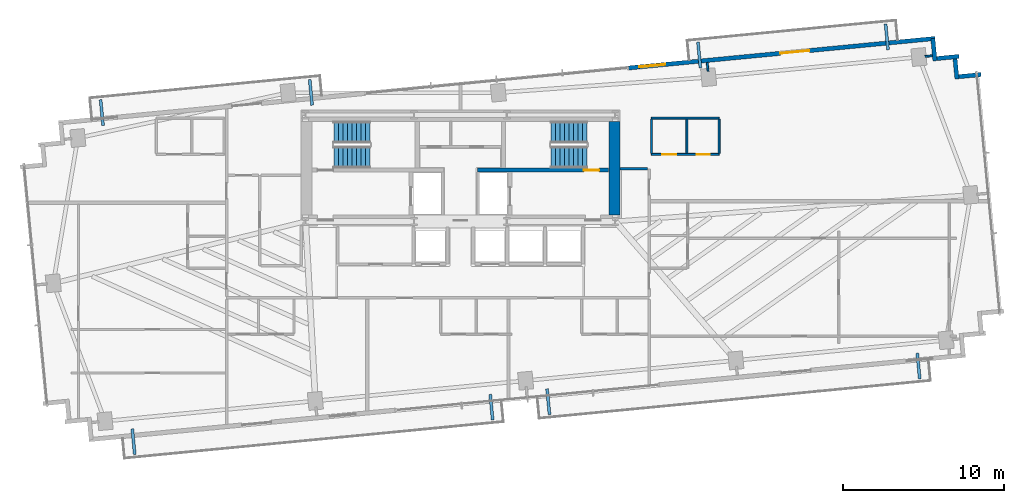
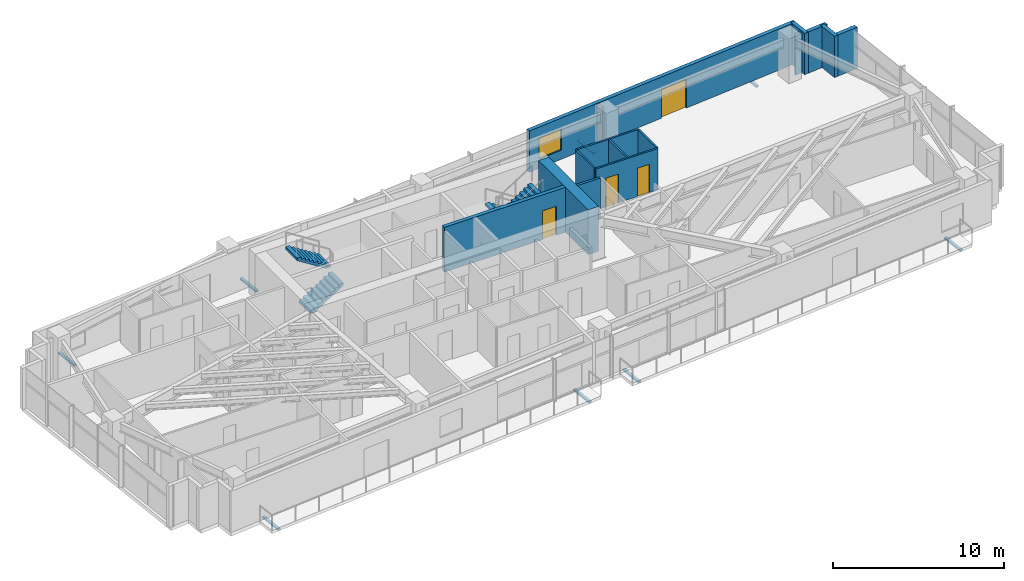
# One storey, part 24 of 27: 15 walls, 8 discrete accessories, 4 doors, 4 stair flights, 1 window, 5 openings, 2 elements without a shape of their own.
"""IFC4 building model written with IfcOpenShell, lengths in metres."""

from ifc_helpers import new_model, si_unit, direction, frame, frame_2d, origin, origin_2d, place, context, subcontext, project, spatial, polyline, rectangle, outline, extrude, source, transform, mapped, material, layer, layer_set, type_object, type_shapes, element, fill, aggregate, save


model = new_model("IFC4")

# Units and contexts
model_context = context("Model", 3, precision=1e-05, world=origin(), true_north=direction((0.0, 1.0)))
body_context = subcontext(model_context, "Body", "Model", "MODEL_VIEW")
ifc_project = project(units=[si_unit("LENGTHUNIT", "METRE"), si_unit("AREAUNIT", "SQUARE_METRE"), si_unit("VOLUMEUNIT", "CUBIC_METRE"), si_unit("PLANEANGLEUNIT", "RADIAN"), si_unit("MASSUNIT", "GRAM", prefix="KILO")], contexts=[model_context])

# Site, building, storey
site_placement = place(None, origin())
site = spatial("IfcSite", under=ifc_project, at=site_placement, CompositionType="ELEMENT")
building_placement = place(site_placement, origin())
building = spatial("IfcBuilding", under=site, at=building_placement, Name="Astriad Promenade Condominiums", CompositionType="ELEMENT")
storey_placement = place(building_placement, frame((0.0, 0.0, 113.0)))
storey = spatial("IfcBuildingStorey", under=building, at=storey_placement, Name="L32", CompositionType="ELEMENT", Elevation=113.0)

# Wall
ifc_material_1 = material(Name="Concrete C60/75", Category="concrete")
ifc_layer_1 = layer(ifc_material_1, 0.699951171875)
ifc_layer_set_1 = layer_set([ifc_layer_1], Name="Concrete C60/75")
wall_type_1 = type_object("IfcWallType", Name="CW-SHEAR-700", PredefinedType="SHEAR", material=ifc_layer_set_1)
wall_1_placement = place(storey_placement, frame((45.550048828125, 17.802001953125, 0.0), z_axis=(0.0, 0.0, 1.0), x_axis=(0.0, 1.0, 0.0)))
element("IfcWall", 1, at=wall_1_placement, inside=storey, type_object=wall_type_1, Name="CW-CORE-E-L32", PredefinedType="SHEAR", context=body_context, shape_type="SweptSolid", body=[
    extrude(rectangle(XDim=5.7958984375, YDim=0.699951171875, at=frame_2d((2.89794921875, 0.0))), origin(), (0.0, 0.0, 1.0), 3.199951171875),
])

# Wall, opening, door
ifc_material_2 = material(Name="Concrete C50/60", Category="concrete")
ifc_layer_2 = layer(ifc_material_2, 0.25)
ifc_layer_set_2 = layer_set([ifc_layer_2], Name="Concrete C50/60")
wall_type_2 = type_object("IfcWallType", Name="WALL-CORE-INT-250", PredefinedType="SOLIDWALL", material=ifc_layer_set_2)
wall_2_placement = place(storey_placement, frame((37.050048828125, 20.574951171875, 0.0), z_axis=(0.0, 0.0, 1.0), x_axis=(1.0, 0.0, 0.0)))
wall_2 = element("IfcWall", 2, at=wall_2_placement, inside=storey, type_object=wall_type_2, Name="CW-INT-H2-L32", PredefinedType="SOLIDWALL", context=body_context, shape_type="SweptSolid", body=[
    extrude(rectangle(XDim=8.14794921875, YDim=0.25, at=frame_2d((4.073974609375, 0.0))), origin(), (0.0, 0.0, 1.0), 3.199951171875),
])
opening_1_placement = place(wall_2_placement, frame((6.60009765625, 0.0, 0.0)))
opening_1 = element("IfcOpeningElement", 3, at=opening_1_placement, cuts=wall_2, Name="Opening FD90-ST-095", PredefinedType="OPENING", context=body_context, shape_type="SweptSolid", body=[
    extrude(rectangle(XDim=0.949951171875, YDim=2.06005859375, at=frame_2d((0.47509765625, 1.030029296875))), frame((0.0, 0.135009765625, 0.0), z_axis=(0.0, -1.0, 0.0), x_axis=(1.0, 0.0, 0.0)), (0.0, 0.0, 1.0), 0.27001953125),
])
ifc_material_3 = material(Name="Fire-Rated Hollow Metal Stair Door")
door_type_1 = type_object("IfcDoorType", Name="FD90-ST-095", OperationType="NOTDEFINED", PredefinedType="DOOR", material=ifc_material_3)
shared_shape_1 = source(origin(), body_context, "Body", "SweptSolid", [
    extrude(rectangle(XDim=0.949951171875, YDim=2.06005859375, at=frame_2d((0.47509765625, 1.030029296875))), frame((0.0, 0.02490234375, 0.0), z_axis=(0.0, -1.0, 0.0), x_axis=(1.0, 0.0, 0.0)), (0.0, 0.0, 1.0), 0.050048828125),
])
type_shapes(door_type_1, [shared_shape_1])
door_1_placement = place(opening_1_placement, origin())
door_1 = element("IfcDoor", 4, at=door_1_placement, inside=storey, type_object=door_type_1, Name="D-ST2-L32", OperationType="SINGLE_SWING_LEFT", OverallHeight=2.06005859375, OverallWidth=0.949951171875, PredefinedType="DOOR", context=body_context, shape_type="MappedRepresentation", body=[
    mapped(shared_shape_1, transform((0.0, 0.0, 0.0), scale=1.0)),
])
fill(opening_1, door_1)

# Wall
ifc_material_4 = material(Name="Fire-Rated Gypsum Partition")
ifc_layer_3 = layer(ifc_material_4, 0.159912109375)
ifc_layer_set_3 = layer_set([ifc_layer_3], Name="Fire-Rated Gypsum Partition")
wall_type_3 = type_object("IfcWallType", Name="WALL-CORR-160", PredefinedType="PARTITIONING", material=ifc_layer_set_3)
wall_3_placement = place(storey_placement, frame((45.902099609375, 20.64990234375, 0.0), z_axis=(0.0, 0.0, 1.0), x_axis=(1.0, 0.0, 0.0)))
element("IfcWall", 5, at=wall_3_placement, inside=storey, type_object=wall_type_3, Name="PT-Z3E-N-L32", PredefinedType="PARTITIONING", context=body_context, shape_type="SweptSolid", body=[
    extrude(rectangle(XDim=1.7158203125, YDim=0.159912109375, at=frame_2d((0.85791015625, 0.0))), origin(), (0.0, 0.0, 1.0), 2.93994140625),
])

# Wall, openings, door, window
ifc_material_5 = material(Name="Precast concrete C50/60", Category="concrete")
ifc_layer_4 = layer(ifc_material_5, 0.260009765625)
ifc_layer_set_4 = layer_set([ifc_layer_4], Name="Precast concrete C50/60")
wall_type_4 = type_object("IfcWallType", Name="WALL-EXT-TWR-260", PredefinedType="STANDARD", material=ifc_layer_set_4)
wall_4_placement = place(storey_placement, frame((46.40625, 26.90966796875, 0.0), z_axis=(0.0, 0.0, 1.0), x_axis=(0.995396638587, 0.095841180552, 0.0)))
wall_4 = element("IfcWall", 6, at=wall_4_placement, inside=storey, type_object=wall_type_4, Name="W-EXT-L32-N2", PredefinedType="STANDARD", context=body_context, shape_type="SweptSolid", body=[
    extrude(rectangle(XDim=19.110107421875, YDim=0.260009765625, at=frame_2d((9.55517578125, 0.0))), origin(), (0.0, 0.0, 1.0), 2.93994140625),
])
opening_2_placement = place(wall_4_placement, frame((9.469970703125, 0.0, 0.0)))
opening_2 = element("IfcOpeningElement", 7, at=opening_2_placement, cuts=wall_4, Name="Opening BD-1822-SLD", PredefinedType="OPENING", context=body_context, shape_type="SweptSolid", body=[
    extrude(rectangle(XDim=1.800048828125, YDim=2.06005859375, at=frame_2d((0.89990234375, 1.030029296875))), frame((0.0, 0.139892578125, 0.0), z_axis=(0.0, -1.0, 0.0), x_axis=(1.0, 0.0, 0.0)), (0.0, 0.0, 1.0), 0.280029296875),
])
opening_3_placement = place(wall_4_placement, frame((0.699951171875, 0.0, 0.64990234375)))
opening_3 = element("IfcOpeningElement", 8, at=opening_3_placement, cuts=wall_4, Name="Opening WIN-TWR-1620", PredefinedType="OPENING", context=body_context, shape_type="SweptSolid", body=[
    extrude(rectangle(XDim=1.60009765625, YDim=1.5, at=frame_2d((0.800048828125, 0.75))), frame((0.0, 0.139892578125, 0.0), z_axis=(0.0, -1.0, 0.0), x_axis=(1.0, 0.0, 0.0)), (0.0, 0.0, 1.0), 0.280029296875),
])
ifc_material_6 = material(Name="Thermally Broken Aluminium Sliding Balcony Door", Category="aluminium")
door_type_2 = type_object("IfcDoorType", Name="BD-1822-SLD", OperationType="NOTDEFINED", PredefinedType="DOOR", material=ifc_material_6)
shared_shape_2 = source(origin(), body_context, "Body", "SweptSolid", [
    extrude(rectangle(XDim=1.800048828125, YDim=2.06005859375, at=frame_2d((0.89990234375, 1.030029296875))), frame((0.0, 0.02490234375, 0.0), z_axis=(0.0, -1.0, 0.0), x_axis=(1.0, 0.0, 0.0)), (0.0, 0.0, 1.0), 0.050048828125),
])
type_shapes(door_type_2, [shared_shape_2])
door_2_placement = place(opening_2_placement, origin())
door_2 = element("IfcDoor", 9, at=door_2_placement, inside=storey, type_object=door_type_2, Name="BD-L32-NE", OperationType="SLIDING_TO_RIGHT", OverallHeight=2.06005859375, OverallWidth=1.800048828125, PredefinedType="DOOR", context=body_context, shape_type="MappedRepresentation", body=[
    mapped(shared_shape_2, transform((0.0, 0.0, 0.0), scale=1.0)),
])
fill(opening_2, door_2)
ifc_material_7 = material(Name="Dark Tinted Triple-Glazed Aluminium Window", Category="aluminium")
window_type = type_object("IfcWindowType", Name="WIN-TWR-1620", PartitioningType="SINGLE_PANEL", PredefinedType="WINDOW", material=ifc_material_7)
shared_shape_3 = source(origin(), body_context, "Body", "SweptSolid", [
    extrude(rectangle(XDim=1.60009765625, YDim=1.5, at=frame_2d((0.800048828125, 0.75))), frame((0.0, 0.030029296875, 0.0), z_axis=(0.0, -1.0, 0.0), x_axis=(1.0, 0.0, 0.0)), (0.0, 0.0, 1.0), 0.06005859375),
])
type_shapes(window_type, [shared_shape_3])
window_placement = place(opening_3_placement, origin())
window = element("IfcWindow", 10, at=window_placement, inside=storey, type_object=window_type, Name="WIN-L32-NE", OverallHeight=1.5, OverallWidth=1.60009765625, PartitioningType="SINGLE_PANEL", PredefinedType="WINDOW", context=body_context, shape_type="MappedRepresentation", body=[
    mapped(shared_shape_3, transform((0.0, 0.0, 0.0), scale=1.0)),
])
fill(opening_3, window)

# Walls
for number, where, z_axis, x_axis, name in (
    (11, (65.297607421875, 28.74365234375, 0.0), (0.0, 0.0, 1.0), (0.095725744959, -0.99540774648, 0.0), "W-SER-L32-09"),
    (12, (65.533203125, 27.49560546875, 0.0), (0.0, 0.0, 1.0), (0.99540774648, 0.095725744959, 0.0), "W-SER-L32-10"),
):
    element("IfcWall", number, at=place(storey_placement, frame(where, z_axis=z_axis, x_axis=x_axis)), inside=storey, type_object=wall_type_4, Name=name, PredefinedType="STANDARD", context=body_context, shape_type="SweptSolid", body=[
        extrude(rectangle(XDim=1.39501953125, YDim=0.260009765625, at=frame_2d((0.697509765625, 0.0))), origin(), (0.0, 0.0, 1.0), 2.93994140625),
    ])
wall_5_placement = place(storey_placement, frame((66.66162109375, 27.619140625, 0.0), z_axis=(0.0, 0.0, 1.0), x_axis=(0.095742423056, -0.99540614245, 0.0)))
element("IfcWall", 13, at=wall_5_placement, inside=storey, type_object=wall_type_4, Name="W-SER-L32-11", PredefinedType="STANDARD", context=body_context, shape_type="SweptSolid", body=[
    extrude(rectangle(XDim=1.394775390625, YDim=0.260009765625, at=frame_2d((0.697265625, 0.0))), origin(), (0.0, 0.0, 1.0), 2.93994140625),
])
wall_6_placement = place(storey_placement, frame((66.897216796875, 26.37109375, 0.0), z_axis=(0.0, 0.0, 1.0), x_axis=(0.995391056452, 0.09589913835, 0.0)))
element("IfcWall", 14, at=wall_6_placement, inside=storey, type_object=wall_type_4, Name="W-SER-L32-12", PredefinedType="STANDARD", context=body_context, shape_type="SweptSolid", body=[
    extrude(rectangle(XDim=1.39501953125, YDim=0.260009765625, at=frame_2d((0.697509765625, 0.0))), origin(), (0.0, 0.0, 1.0), 2.93994140625),
])

# Wall, openings, doors
ifc_material_8 = material(Name="Acoustic Metal-Stud Gypsum Partition")
ifc_layer_5 = layer(ifc_material_8, 0.1201171875)
ifc_layer_set_5 = layer_set([ifc_layer_5], Name="Acoustic Metal-Stud Gypsum Partition")
wall_type_5 = type_object("IfcWallType", Name="WALL-PART-120", PredefinedType="PARTITIONING", material=ifc_layer_set_5)
wall_7_placement = place(storey_placement, frame((47.85009765625, 21.550048828125, 0.0), z_axis=(0.0, 0.0, 1.0), x_axis=(1.0, 0.0, 0.0)))
wall_7 = element("IfcWall", 15, at=wall_7_placement, inside=storey, type_object=wall_type_5, Name="PT-L32-E2-PH", PredefinedType="PARTITIONING", context=body_context, shape_type="SweptSolid", body=[
    extrude(rectangle(XDim=4.199951171875, YDim=0.1201171875, at=frame_2d((2.10009765625, 0.0))), origin(), (0.0, 0.0, 1.0), 2.93994140625),
])
opening_4_placement = place(wall_7_placement, frame((0.675048828125, 0.0, 0.0)))
opening_4 = element("IfcOpeningElement", 16, at=opening_4_placement, cuts=wall_7, Name="Opening D-INT-085", PredefinedType="OPENING", context=body_context, shape_type="SweptSolid", body=[
    extrude(rectangle(XDim=0.85009765625, YDim=2.050048828125, at=frame_2d((0.425048828125, 1.02490234375))), frame((0.0, 0.070068359375, 0.0), z_axis=(0.0, -1.0, 0.0), x_axis=(1.0, 0.0, 0.0)), (0.0, 0.0, 1.0), 0.14013671875),
])
opening_5_placement = place(wall_7_placement, frame((2.800048828125, 0.0, 0.0)))
opening_5 = element("IfcOpeningElement", 17, at=opening_5_placement, cuts=wall_7, Name="Opening D-WET-080", PredefinedType="OPENING", context=body_context, shape_type="SweptSolid", body=[
    extrude(rectangle(XDim=0.800048828125, YDim=2.02001953125, at=frame_2d((0.39990234375, 1.010009765625))), frame((0.0, 0.070068359375, 0.0), z_axis=(0.0, -1.0, 0.0), x_axis=(1.0, 0.0, 0.0)), (0.0, 0.0, 1.0), 0.14013671875),
])
ifc_material_9 = material(Name="Moisture-Resistant Timber Bathroom Door", Category="wood")
door_type_3 = type_object("IfcDoorType", Name="D-WET-080", OperationType="NOTDEFINED", PredefinedType="DOOR", material=ifc_material_9)
shared_shape_4 = source(origin(), body_context, "Body", "SweptSolid", [
    extrude(rectangle(XDim=0.800048828125, YDim=2.02001953125, at=frame_2d((0.39990234375, 1.010009765625))), frame((0.0, 0.02490234375, 0.0), z_axis=(0.0, -1.0, 0.0), x_axis=(1.0, 0.0, 0.0)), (0.0, 0.0, 1.0), 0.050048828125),
])
type_shapes(door_type_3, [shared_shape_4])
door_3_placement = place(opening_5_placement, origin())
door_3 = element("IfcDoor", 18, at=door_3_placement, inside=storey, type_object=door_type_3, Name="D-BTH-L32-E2", OperationType="SINGLE_SWING_RIGHT", OverallHeight=2.02001953125, OverallWidth=0.800048828125, PredefinedType="DOOR", context=body_context, shape_type="MappedRepresentation", body=[
    mapped(shared_shape_4, transform((0.0, 0.0, 0.0), scale=1.0)),
])
fill(opening_5, door_3)
ifc_material_10 = material(Name="Painted Solid-Core Timber Room Door", Category="wood")
door_type_4 = type_object("IfcDoorType", Name="D-INT-085", OperationType="NOTDEFINED", PredefinedType="DOOR", material=ifc_material_10)
shared_shape_5 = source(origin(), body_context, "Body", "SweptSolid", [
    extrude(rectangle(XDim=0.85009765625, YDim=2.050048828125, at=frame_2d((0.425048828125, 1.02490234375))), frame((0.0, 0.02490234375, 0.0), z_axis=(0.0, -1.0, 0.0), x_axis=(1.0, 0.0, 0.0)), (0.0, 0.0, 1.0), 0.050048828125),
])
type_shapes(door_type_4, [shared_shape_5])
door_4_placement = place(opening_4_placement, origin())
door_4 = element("IfcDoor", 19, at=door_4_placement, inside=storey, type_object=door_type_4, Name="D-KIT-L32-E2", OperationType="SINGLE_SWING_LEFT", OverallHeight=2.050048828125, OverallWidth=0.85009765625, PredefinedType="DOOR", context=body_context, shape_type="MappedRepresentation", body=[
    mapped(shared_shape_5, transform((0.0, 0.0, 0.0), scale=1.0)),
])
fill(opening_4, door_4)

# Walls
wall_8_placement = place(storey_placement, frame((47.85009765625, 23.800048828125, 0.0), z_axis=(0.0, 0.0, 1.0), x_axis=(1.0, 0.0, 0.0)))
element("IfcWall", 20, at=wall_8_placement, inside=storey, type_object=wall_type_5, Name="PT-L32-E2-PHN", PredefinedType="PARTITIONING", context=body_context, shape_type="SweptSolid", body=[
    extrude(rectangle(XDim=4.199951171875, YDim=0.1201171875, at=frame_2d((2.10009765625, 0.0))), origin(), (0.0, 0.0, 1.0), 2.93994140625),
])
for number, where, z_axis, x_axis, name in (
    (21, (47.85009765625, 21.612060546875, 0.0), (0.0, 0.0, 1.0), (0.0, 1.0, 0.0), "PT-L32-E2-PK1"),
    (22, (50.050048828125, 21.612060546875, 0.0), (0.0, 0.0, 1.0), (0.0, 1.0, 0.0), "PT-L32-E2-PK2"),
    (23, (52.050048828125, 21.612060546875, 0.0), (0.0, 0.0, 1.0), (0.0, 1.0, 0.0), "PT-L32-E2-PK3"),
):
    element("IfcWall", number, at=place(storey_placement, frame(where, z_axis=z_axis, x_axis=x_axis)), inside=storey, type_object=wall_type_5, Name=name, PredefinedType="PARTITIONING", context=body_context, shape_type="SweptSolid", body=[
        extrude(rectangle(XDim=2.1259765625, YDim=0.1201171875, at=frame_2d((1.06298828125, 0.0))), origin(), (0.0, 0.0, 1.0), 2.93994140625),
    ])
wall_9_placement = place(storey_placement, frame((51.35791015625, 26.71337890625, 0.0), z_axis=(0.0, 0.0, 1.0), x_axis=(-0.095772948675, 0.995403205893, 0.0)))
element("IfcWall", 24, at=wall_9_placement, inside=storey, type_object=wall_type_5, Name="PT-PIL-L32-PC09-16", PredefinedType="PARTITIONING", context=body_context, shape_type="SweptSolid", body=[
    extrude(rectangle(XDim=0.537841796875, YDim=0.1201171875, at=frame_2d((0.26904296875, 0.0))), origin(), (0.0, 0.0, 1.0), 2.93994140625),
])
wall_10_placement = place(storey_placement, frame((64.812255859375, 27.626953125, 0.0), z_axis=(0.0, 0.0, 1.0), x_axis=(0.995389482415, 0.095915474751, 0.0)))
element("IfcWall", 25, at=wall_10_placement, inside=storey, type_object=wall_type_5, Name="PT-PIL-L32-PC10-17", PredefinedType="PARTITIONING", context=body_context, shape_type="SweptSolid", body=[
    extrude(rectangle(XDim=0.458251953125, YDim=0.1201171875, at=frame_2d((0.22900390625, 0.0))), origin(), (0.0, 0.0, 1.0), 2.93994140625),
])

# Stair, stair flights
stair_type = type_object("IfcStairType", Name="STR-CORE-1350", PredefinedType="HALF_TURN_STAIR", material=ifc_material_2)
stair_1_placement = place(storey_placement, origin())
stair_1 = element("IfcStair", 26, at=stair_1_placement, inside=storey, type_object=stair_type, Name="L32 Enclosed Core Exit Stair ST-1", PredefinedType="HALF_TURN_STAIR")
stair_flight_type = type_object("IfcStairFlightType", Name="SFL-CORE-1350", PredefinedType="STRAIGHT", material=ifc_material_2)
shared_shape_6 = source(origin(), body_context, "Body", "SweptSolid", [
    extrude(outline(polyline([(0.0, 0.0), (0.0, 0.177734375), (0.280029296875, 0.177734375), (0.280029296875, 0.35546875), (0.56005859375, 0.35546875), (0.56005859375, 0.533447265625), (0.840087890625, 0.533447265625), (0.840087890625, 0.711181640625), (1.1201171875, 0.711181640625), (1.1201171875, 0.888916015625), (1.39990234375, 0.888916015625), (1.39990234375, 1.066650390625), (1.679931640625, 1.066650390625), (1.679931640625, 1.244384765625), (1.9599609375, 1.244384765625), (1.9599609375, 1.422119140625), (2.239990234375, 1.422119140625), (2.239990234375, 1.60009765625), (2.239990234375, 1.24462890625), (0.27978515625, 0.0), (0.0, 0.0)])), frame((0.0, 0.675048828125, 0.0), z_axis=(0.0, -1.0, 0.0), x_axis=(1.0, 0.0, 0.0)), (0.0, 0.0, 1.0), 1.35009765625),
])
type_shapes(stair_flight_type, [shared_shape_6])
stair_flight_1_placement = place(storey_placement, frame((28.14990234375, 21.375, 0.0), z_axis=(0.0, 0.0, 1.0), x_axis=(1.0, 0.0, 0.0)))
stair_flight_1 = element("IfcStairFlight", 27, at=stair_flight_1_placement, type_object=stair_flight_type, Name="ST-1 flight 1", NumberOfRisers=9, NumberOfTreads=8, PredefinedType="STRAIGHT", RiserHeight=0.177777778, TreadLength=0.28, context=body_context, shape_type="MappedRepresentation", body=[
    mapped(shared_shape_6, transform((0.0, 0.0, 0.0), scale=1.0)),
])
stair_flight_2_placement = place(storey_placement, frame((30.389892578125, 22.925048828125, 1.60009765625), z_axis=(0.0, 0.0, 1.0), x_axis=(-1.0, 0.0, 0.0)))
stair_flight_2 = element("IfcStairFlight", 28, at=stair_flight_2_placement, type_object=stair_flight_type, Name="ST-1 flight 2", NumberOfRisers=9, NumberOfTreads=8, PredefinedType="STRAIGHT", RiserHeight=0.177777778, TreadLength=0.28, context=body_context, shape_type="MappedRepresentation", body=[
    mapped(shared_shape_6, transform((0.0, 0.0, 0.0), scale=1.0)),
])
aggregate(stair_1, [stair_flight_1, stair_flight_2])

stair_2_placement = place(storey_placement, origin())
stair_2 = element("IfcStair", 29, at=stair_2_placement, inside=storey, type_object=stair_type, Name="L32 Enclosed Core Exit Stair ST-2", PredefinedType="HALF_TURN_STAIR")
stair_flight_3_placement = place(storey_placement, frame((43.85009765625, 22.925048828125, 0.0), z_axis=(0.0, 0.0, 1.0), x_axis=(-1.0, 0.0, 0.0)))
stair_flight_3 = element("IfcStairFlight", 30, at=stair_flight_3_placement, type_object=stair_flight_type, Name="ST-2 flight 1", NumberOfRisers=9, NumberOfTreads=8, PredefinedType="STRAIGHT", RiserHeight=0.177777778, TreadLength=0.28, context=body_context, shape_type="MappedRepresentation", body=[
    mapped(shared_shape_6, transform((0.0, 0.0, 0.0), scale=1.0)),
])
stair_flight_4_placement = place(storey_placement, frame((41.610107421875, 21.375, 1.60009765625), z_axis=(0.0, 0.0, 1.0), x_axis=(1.0, 0.0, 0.0)))
stair_flight_4 = element("IfcStairFlight", 31, at=stair_flight_4_placement, type_object=stair_flight_type, Name="ST-2 flight 2", NumberOfRisers=9, NumberOfTreads=8, PredefinedType="STRAIGHT", RiserHeight=0.177777778, TreadLength=0.28, context=body_context, shape_type="MappedRepresentation", body=[
    mapped(shared_shape_6, transform((0.0, 0.0, 0.0), scale=1.0)),
])
aggregate(stair_2, [stair_flight_3, stair_flight_4])

# Discrete accessories
ifc_material_11 = material(Name="Steel ASTM A572 Grade 50", Category="steel")
discrete_accessory_type = type_object("IfcDiscreteAccessoryType", Name="STEEL BALCONY OUTRIGGER BRACKET", PredefinedType="BRACKET", material=ifc_material_11)
shared_shape_7 = source(origin(), body_context, "Body", "SweptSolid", [
    extrude(rectangle(XDim=1.60009765625, YDim=0.179931640625, at=origin_2d()), origin(), (0.0, 0.0, 1.0), 0.1220703125),
])
type_shapes(discrete_accessory_type, [shared_shape_7])
for number, where, z_axis, x_axis, name in (
    (32, (15.728515625, 3.742431640625, -0.340087890625), (0.0, 0.0, 1.0), (0.09584575252, -0.995396198367, 0.0), "Balcony Outrigger Bracket BAL-L32-SW-A"),
    (33, (37.9248046875, 5.8798828125, -0.340087890625), (0.0, 0.0, 1.0), (0.09584575252, -0.995396198367, 0.0), "Balcony Outrigger Bracket BAL-L32-SW-B"),
    (34, (41.44970703125, 6.21923828125, -0.340087890625), (0.0, 0.0, 1.0), (0.09584575252, -0.995396198367, 0.0), "Balcony Outrigger Bracket BAL-L32-SE-A"),
    (35, (64.409423828125, 8.429931640625, -0.340087890625), (0.0, 0.0, 1.0), (0.09584575252, -0.995396198367, 0.0), "Balcony Outrigger Bracket BAL-L32-SE-B"),
    (36, (13.763671875, 24.148193359375, -0.340087890625), (0.0, 0.0, 1.0), (-0.09584575252, 0.995396198367, 0.0), "Balcony Outrigger Bracket BAL-L32-NW-A"),
    (37, (26.730712890625, 25.396728515625, -0.340087890625), (0.0, 0.0, 1.0), (-0.09584575252, 0.995396198367, 0.0), "Balcony Outrigger Bracket BAL-L32-NW-B"),
    (38, (50.809326171875, 27.71533203125, -0.340087890625), (0.0, 0.0, 1.0), (-0.09584575252, 0.995396198367, 0.0), "Balcony Outrigger Bracket BAL-L32-NE-A"),
    (39, (62.444580078125, 28.835693359375, -0.340087890625), (0.0, 0.0, 1.0), (-0.09584575252, 0.995396198367, 0.0), "Balcony Outrigger Bracket BAL-L32-NE-B"),
):
    element("IfcDiscreteAccessory", number, at=place(storey_placement, frame(where, z_axis=z_axis, x_axis=x_axis)), inside=storey, type_object=discrete_accessory_type, Name=name, PredefinedType="BRACKET", context=body_context, shape_type="MappedRepresentation", body=[
        mapped(shared_shape_7, transform((0.0, 0.0, 0.0), scale=1.0)),
    ])

save(model, "model.ifc")
